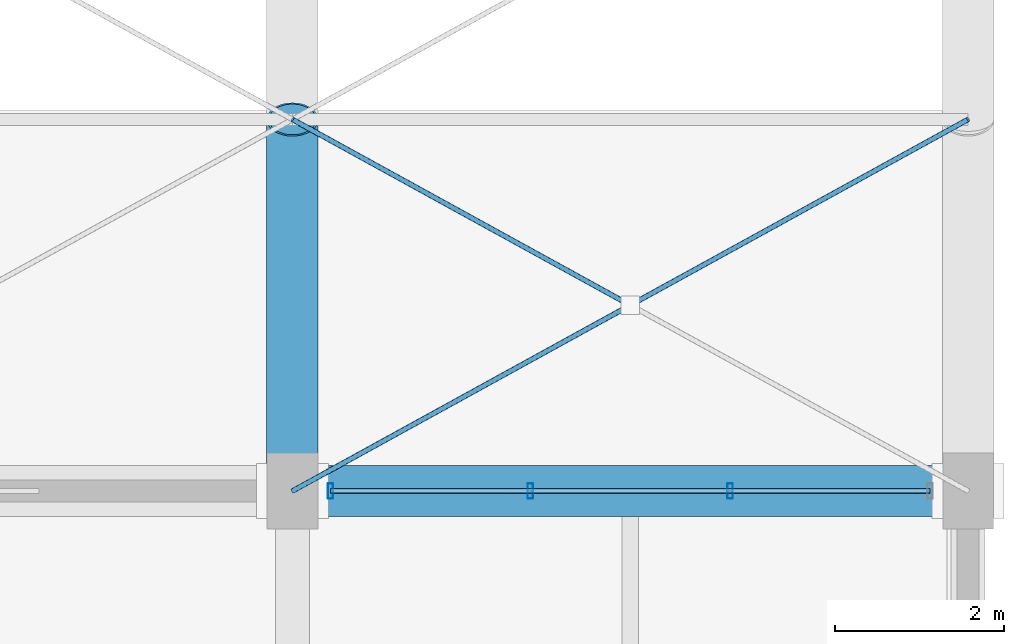
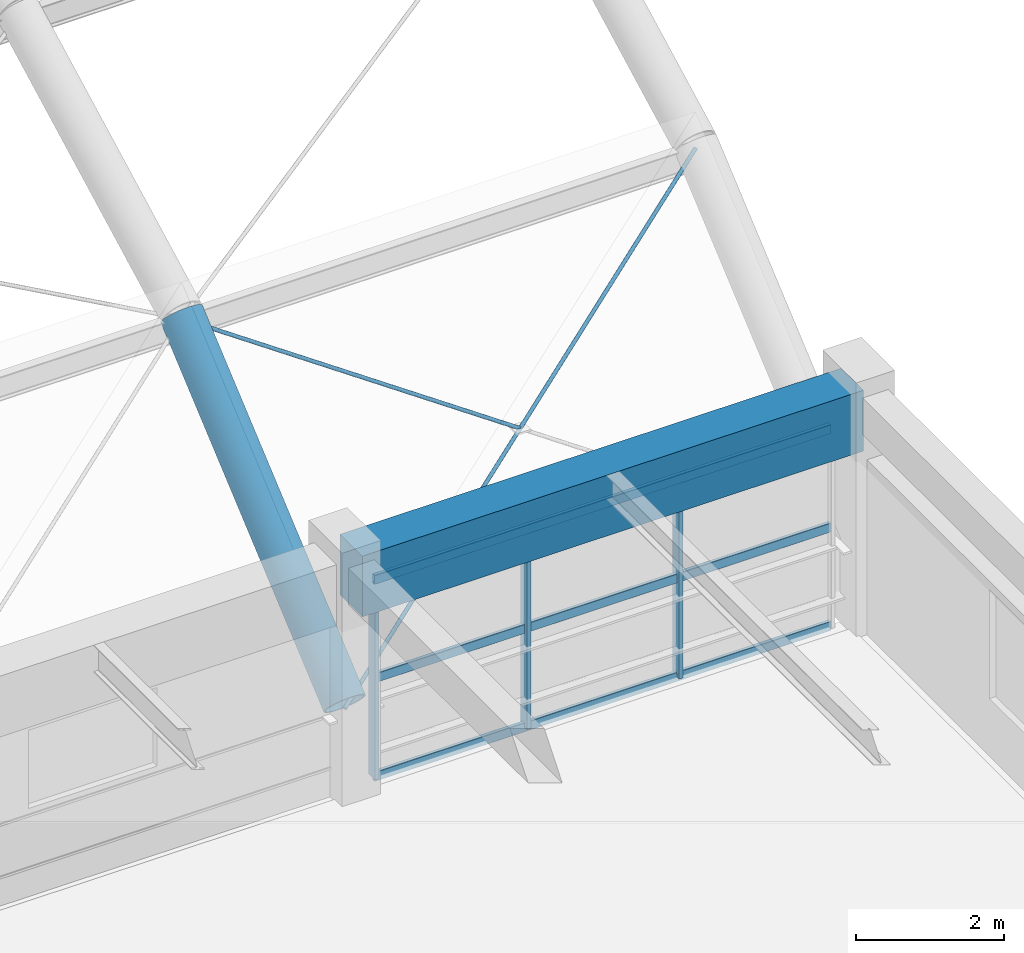
# One storey, part 82 of 126: 8 members, 2 beams, 1 element without a shape of its own.
"""IFC4 building model written with IfcOpenShell, lengths in metres."""

from ifc_helpers import new_model, si_unit, direction, frame, origin, origin_2d, place, context, subcontext, project, spatial, rectangle, hollow_rectangle, circle, hollow_circle, extrude, material, material_profile, profile_set, type_object, element, aggregate, save


model = new_model("IFC4")

# Units and contexts
model_context = context("Model", 3, precision=1e-05, world=origin(), true_north=direction((0.0, 1.0)))
body_context = subcontext(model_context, "Body", "Model", "MODEL_VIEW")
ifc_project = project(units=[si_unit("LENGTHUNIT", "METRE"), si_unit("AREAUNIT", "SQUARE_METRE"), si_unit("VOLUMEUNIT", "CUBIC_METRE"), si_unit("PLANEANGLEUNIT", "RADIAN"), si_unit("MASSUNIT", "GRAM", prefix="KILO")], contexts=[model_context])

# Site, building, storey
site_placement = place(None, origin())
site = spatial("IfcSite", under=ifc_project, at=site_placement, CompositionType="ELEMENT")
building_placement = place(site_placement, origin())
building = spatial("IfcBuilding", under=site, at=building_placement, Name="Varnabhumi Central Station", CompositionType="ELEMENT")
storey_placement = place(building_placement, frame((0.0, 0.0, 16.199951171875)))
storey = spatial("IfcBuildingStorey", under=building, at=storey_placement, Name="L03", CompositionType="ELEMENT", Elevation=16.199951171875)

# Beams
ifc_material_1 = material(Name="Structural steel E450", Category="steel")
ifc_material_profile_1 = material_profile(ifc_material_1, hollow_circle(Radius=0.304931640625, WallThickness=0.02490234375, at=origin_2d()), Name="Structural steel E450", Category="steel")
ifc_profile_set_1 = profile_set([ifc_material_profile_1], Name="Structural steel E450")
beam_type_1 = type_object("IfcBeamType", Name="BM-ARCH-CHS610", PredefinedType="BEAM", material=ifc_profile_set_1)
beam_1_placement = place(storey_placement, frame((176.0, 36.0, 1.35009765625), z_axis=(0.0, 0.761369888875, 0.648317740244), x_axis=(-1.0, 0.0, 0.0)))
element("IfcBeam", 1, at=beam_1_placement, inside=storey, type_object=beam_type_1, Name="Platform Train-Shed Vault Arch Rib 7 Seg 1", PredefinedType="BEAM", context=body_context, shape_type="SweptSolid", body=[
    extrude(hollow_circle(Radius=0.304931640625, WallThickness=0.02490234375, at=origin_2d()), origin(), (0.0, 0.0, 1.0), 5.77880859375),
])
ifc_material_2 = material(Name="Concrete M50", Category="concrete")
ifc_material_profile_2 = material_profile(ifc_material_2, rectangle(XDim=0.60009765625, YDim=1.0, at=origin_2d()), Name="Concrete M50", Category="concrete")
ifc_profile_set_2 = profile_set([ifc_material_profile_2], Name="Concrete M50")
beam_type_2 = type_object("IfcBeamType", Name="BM-RC-600x1000", PredefinedType="BEAM", material=ifc_profile_set_2)
beam_2_placement = place(storey_placement, frame((176.10009765625, 36.0, 3.420166015625), z_axis=(1.0, 0.0, 0.0), x_axis=(0.0, 1.0, 0.0)))
element("IfcBeam", 2, at=beam_2_placement, inside=storey, type_object=beam_type_2, Name="Beam L03-E:23-24", PredefinedType="BEAM", context=body_context, shape_type="SweptSolid", body=[
    extrude(rectangle(XDim=0.60009765625, YDim=1.0, at=origin_2d()), origin(), (0.0, 0.0, 1.0), 7.7998046875),
])

# Curtain wall, members
ifc_material_3 = material(Name="Anodised aluminium 6063-T6", Category="aluminium")
curtain_wall_type = type_object("IfcCurtainWallType", Name="CW-SPINE-SCREEN-L0", PredefinedType="NOTDEFINED", material=ifc_material_3)
curtain_wall_placement = place(storey_placement, origin())
curtain_wall = element("IfcCurtainWall", 3, at=curtain_wall_placement, inside=storey, type_object=curtain_wall_type, Name="Curtain Wall CW-SS318", PredefinedType="NOTDEFINED")
ifc_material_profile_3 = material_profile(ifc_material_3, hollow_rectangle(XDim=0.06494140625, YDim=0.179931640625, WallThickness=0.00390625, InnerFilletRadius=0.001953125, OuterFilletRadius=0.006103515625, at=origin_2d()), Name="Anodised aluminium 6063-T6", Category="aluminium")
ifc_profile_set_3 = profile_set([ifc_material_profile_3], Name="Anodised aluminium 6063-T6")
member_type_1 = type_object("IfcMemberType", Name="CW-MUL-180", PredefinedType="MULLION", material=ifc_profile_set_3)
member_1_placement = place(storey_placement, frame((176.449951171875, 36.0, 0.0), z_axis=(0.0, 0.0, 1.0), x_axis=(1.0, 0.0, 0.0)))
member_1 = element("IfcMember", 4, at=member_1_placement, type_object=member_type_1, Name="Curtain Wall Mullion CW-SS318-M1", PredefinedType="MULLION", context=body_context, shape_type="SweptSolid", body=[
    extrude(hollow_rectangle(XDim=0.06494140625, YDim=0.179931640625, WallThickness=0.00390625, InnerFilletRadius=0.001953125, OuterFilletRadius=0.006103515625, at=origin_2d()), origin(), (0.0, 0.0, 1.0), 3.239990234375),
])
member_2_placement = place(storey_placement, frame((178.816650390625, 36.0, 0.0), z_axis=(0.0, 0.0, 1.0), x_axis=(1.0, 0.0, 0.0)))
member_2 = element("IfcMember", 5, at=member_2_placement, type_object=member_type_1, Name="Curtain Wall Mullion CW-SS318-M2", PredefinedType="MULLION", context=body_context, shape_type="SweptSolid", body=[
    extrude(hollow_rectangle(XDim=0.06494140625, YDim=0.179931640625, WallThickness=0.00390625, InnerFilletRadius=0.001953125, OuterFilletRadius=0.006103515625, at=origin_2d()), origin(), (0.0, 0.0, 1.0), 3.239990234375),
])
member_3_placement = place(storey_placement, frame((181.183349609375, 36.0, 0.0), z_axis=(0.0, 0.0, 1.0), x_axis=(1.0, 0.0, 0.0)))
member_3 = element("IfcMember", 6, at=member_3_placement, type_object=member_type_1, Name="Curtain Wall Mullion CW-SS318-M3", PredefinedType="MULLION", context=body_context, shape_type="SweptSolid", body=[
    extrude(hollow_rectangle(XDim=0.06494140625, YDim=0.179931640625, WallThickness=0.00390625, InnerFilletRadius=0.001953125, OuterFilletRadius=0.006103515625, at=origin_2d()), origin(), (0.0, 0.0, 1.0), 3.239990234375),
])
ifc_material_profile_4 = material_profile(ifc_material_3, hollow_rectangle(XDim=0.06005859375, YDim=0.14990234375, WallThickness=0.00390625, InnerFilletRadius=0.001953125, OuterFilletRadius=0.006103515625, at=origin_2d()), Name="Anodised aluminium 6063-T6", Category="aluminium")
ifc_profile_set_4 = profile_set([ifc_material_profile_4], Name="Anodised aluminium 6063-T6")
member_type_2 = type_object("IfcMemberType", Name="CW-TR-150", PredefinedType="USERDEFINED", material=ifc_profile_set_4)
member_4_placement = place(storey_placement, frame((176.449951171875, 36.0, 0.0), z_axis=(1.0, 0.0, 0.0), x_axis=(0.0, 1.0, 0.0)))
member_4 = element("IfcMember", 7, at=member_4_placement, type_object=member_type_2, Name="Curtain Wall Transom CW-SS318-T1", ObjectType="TRANSOM", PredefinedType="USERDEFINED", context=body_context, shape_type="SweptSolid", body=[
    extrude(hollow_rectangle(XDim=0.06005859375, YDim=0.14990234375, WallThickness=0.00390625, InnerFilletRadius=0.001953125, OuterFilletRadius=0.006103515625, at=origin_2d()), origin(), (0.0, 0.0, 1.0), 7.10009765625),
])
member_5_placement = place(storey_placement, frame((176.449951171875, 36.0, 1.6201171875), z_axis=(1.0, 0.0, 0.0), x_axis=(0.0, 1.0, 0.0)))
member_5 = element("IfcMember", 8, at=member_5_placement, type_object=member_type_2, Name="Curtain Wall Transom CW-SS318-T2", ObjectType="TRANSOM", PredefinedType="USERDEFINED", context=body_context, shape_type="SweptSolid", body=[
    extrude(hollow_rectangle(XDim=0.06005859375, YDim=0.14990234375, WallThickness=0.00390625, InnerFilletRadius=0.001953125, OuterFilletRadius=0.006103515625, at=origin_2d()), origin(), (0.0, 0.0, 1.0), 7.10009765625),
])
member_6_placement = place(storey_placement, frame((176.449951171875, 36.0, 3.239990234375), z_axis=(1.0, 0.0, 0.0), x_axis=(0.0, 1.0, 0.0)))
member_6 = element("IfcMember", 9, at=member_6_placement, type_object=member_type_2, Name="Curtain Wall Transom CW-SS318-T3", ObjectType="TRANSOM", PredefinedType="USERDEFINED", context=body_context, shape_type="SweptSolid", body=[
    extrude(hollow_rectangle(XDim=0.06005859375, YDim=0.14990234375, WallThickness=0.00390625, InnerFilletRadius=0.001953125, OuterFilletRadius=0.006103515625, at=origin_2d()), origin(), (0.0, 0.0, 1.0), 7.10009765625),
])
aggregate(curtain_wall, [member_1, member_2, member_3, member_4, member_5, member_6])

# Members
ifc_material_4 = material(Name="Spiral-strand steel S1570", Category="steel")
ifc_material_profile_5 = material_profile(ifc_material_4, circle(Radius=0.030029296875, at=origin_2d()), Name="Spiral-strand steel S1570", Category="steel")
ifc_profile_set_5 = profile_set([ifc_material_profile_5], Name="Spiral-strand steel S1570")
member_type_3 = type_object("IfcMemberType", Name="MBR-CABLE-D60", PredefinedType="USERDEFINED", material=ifc_profile_set_5)
member_7_placement = place(storey_placement, frame((176.0, 36.0, 1.27001953125), z_axis=(0.810623868746, 0.4458332325, 0.379633602593), x_axis=(-0.481910537812, 0.876220425204, 0.0)))
element("IfcMember", 10, at=member_7_placement, inside=storey, type_object=member_type_3, Name="Platform Train-Shed Vault Cable-Net Tie B7-P1A", ObjectType="TENSION CABLE", PredefinedType="USERDEFINED", context=body_context, shape_type="SweptSolid", body=[
    extrude(circle(Radius=0.030029296875, at=origin_2d()), origin(), (0.0, 0.0, 1.0), 9.868896484375),
])
member_8_placement = place(storey_placement, frame((176.0, 40.39990234375, 5.0166015625), z_axis=(0.810623868746, -0.4458332325, -0.379633602593), x_axis=(0.481910537812, 0.876220425204, 0.0)))
element("IfcMember", 11, at=member_8_placement, inside=storey, type_object=member_type_3, Name="Platform Train-Shed Vault Cable-Net Split Tie B7-P1B1", ObjectType="TENSION CABLE", PredefinedType="USERDEFINED", context=body_context, shape_type="SweptSolid", body=[
    extrude(circle(Radius=0.030029296875, at=origin_2d()), origin(), (0.0, 0.0, 1.0), 4.9345703125),
])

save(model, "model.ifc")
